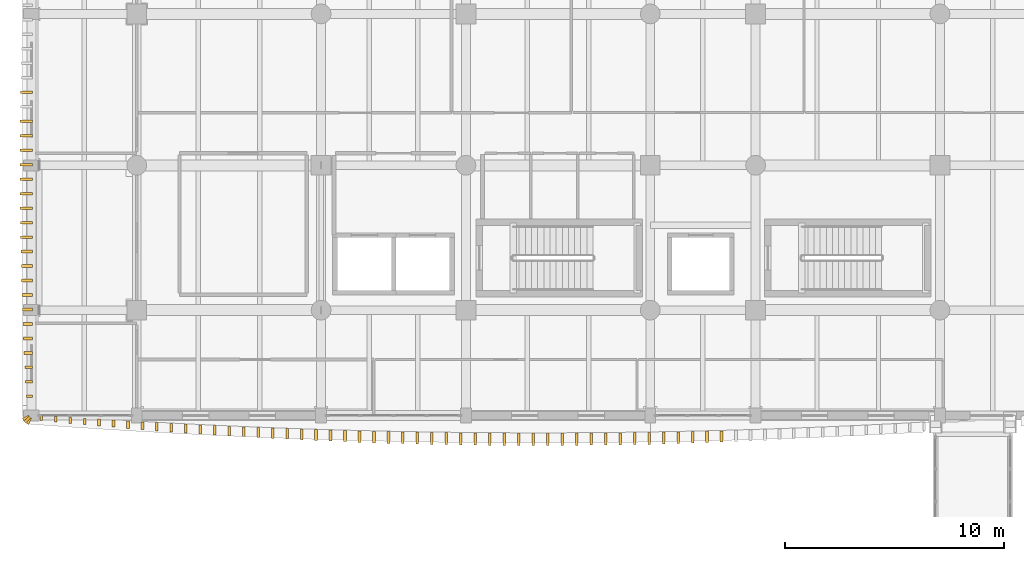
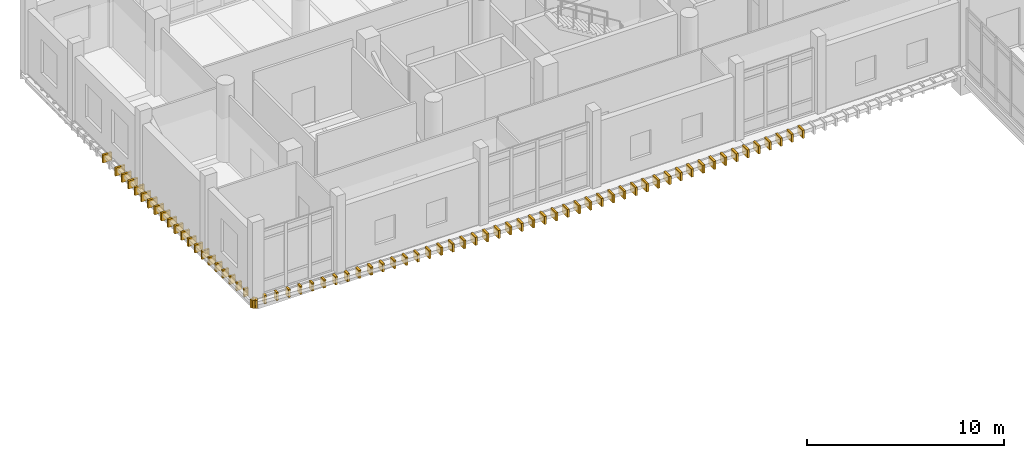
# One storey, part 95 of 101: 72 coverings.
"""IFC4 building model written with IfcOpenShell, lengths in metres."""

from ifc_helpers import new_model, si_unit, direction, frame, origin, origin_2d, place, context, subcontext, project, spatial, rectangle, extrude, material, layer, layer_set, type_object, element, save


model = new_model("IFC4")

# Units and contexts
model_context = context("Model", 3, precision=1e-05, world=origin(), true_north=direction((0.0, 1.0)))
body_context = subcontext(model_context, "Body", "Model", "MODEL_VIEW")
ifc_project = project(units=[si_unit("LENGTHUNIT", "METRE"), si_unit("AREAUNIT", "SQUARE_METRE"), si_unit("VOLUMEUNIT", "CUBIC_METRE"), si_unit("PLANEANGLEUNIT", "RADIAN"), si_unit("MASSUNIT", "GRAM", prefix="KILO")], contexts=[model_context])

# Site, building, storey
site_placement = place(None, origin())
site = spatial("IfcSite", under=ifc_project, at=site_placement, CompositionType="ELEMENT")
building_placement = place(site_placement, origin())
building = spatial("IfcBuilding", under=site, at=building_placement, Name="Dornvale Research Institute", CompositionType="ELEMENT")
storey_placement = place(building_placement, frame((0.0, 0.0, 10.199951171875)))
storey = spatial("IfcBuildingStorey", under=building, at=storey_placement, Name="L02", CompositionType="ELEMENT", Elevation=10.199951171875)

# Coverings
ifc_material = material(Name="Polychrome Glazed Terracotta Visor Rib Ceramic", Category="masonry")
ifc_layer = layer(ifc_material, 0.1201171875)
ifc_layer_set = layer_set([ifc_layer], Name="Polychrome Glazed Terracotta Visor Rib Ceramic")
covering_type = type_object("IfcCoveringType", Name="Covering_VisorBlade_Main", PredefinedType="CLADDING", material=ifc_layer_set)
covering_1_placement = place(storey_placement, frame((0.448974609375, 98.8916015625, -0.489990234375), z_axis=(0.0, 0.0, 1.0), x_axis=(0.0, 1.0, 0.0)))
element("IfcCovering", 1, at=covering_1_placement, inside=storey, type_object=covering_type, Name="L02 V5 canted glazed terracotta visor blade #206", PredefinedType="CLADDING", context=body_context, shape_type="SweptSolid", body=[
    extrude(rectangle(XDim=0.23291015625, YDim=0.1201171875, at=origin_2d()), origin(), (0.0, 0.0, 1.0), 0.5),
])
covering_2_placement = place(storey_placement, frame((1.107177734375, 98.83544921875, -0.489990234375), z_axis=(0.0, 0.0, 1.0), x_axis=(0.0, 1.0, 0.0)))
element("IfcCovering", 2, at=covering_2_placement, inside=storey, type_object=covering_type, Name="L02 V5 canted glazed terracotta visor blade #207", PredefinedType="CLADDING", context=body_context, shape_type="SweptSolid", body=[
    extrude(rectangle(XDim=0.251953125, YDim=0.1201171875, at=origin_2d()), origin(), (0.0, 0.0, 1.0), 0.5),
])
covering_3_placement = place(storey_placement, frame((1.765625, 98.7802734375, -0.489990234375), z_axis=(0.0, 0.0, 1.0), x_axis=(0.0, 1.0, 0.0)))
element("IfcCovering", 3, at=covering_3_placement, inside=storey, type_object=covering_type, Name="L02 V5 canted glazed terracotta visor blade #208", PredefinedType="CLADDING", context=body_context, shape_type="SweptSolid", body=[
    extrude(rectangle(XDim=0.27001953125, YDim=0.1201171875, at=origin_2d()), origin(), (0.0, 0.0, 1.0), 0.5),
])
covering_4_placement = place(storey_placement, frame((2.42431640625, 98.72802734375, -0.489990234375), z_axis=(0.0, 0.0, 1.0), x_axis=(0.0, 1.0, 0.0)))
element("IfcCovering", 4, at=covering_4_placement, inside=storey, type_object=covering_type, Name="L02 V5 canted glazed terracotta visor blade #209", PredefinedType="CLADDING", context=body_context, shape_type="SweptSolid", body=[
    extrude(rectangle(XDim=0.2880859375, YDim=0.1201171875, at=origin_2d()), origin(), (0.0, 0.0, 1.0), 0.5),
])
covering_5_placement = place(storey_placement, frame((3.082763671875, 98.67626953125, -0.489990234375), z_axis=(0.0, 0.0, 1.0), x_axis=(0.0, 1.0, 0.0)))
element("IfcCovering", 5, at=covering_5_placement, inside=storey, type_object=covering_type, Name="L02 V5 canted glazed terracotta visor blade #210", PredefinedType="CLADDING", context=body_context, shape_type="SweptSolid", body=[
    extrude(rectangle(XDim=0.304931640625, YDim=0.1201171875, at=origin_2d()), origin(), (0.0, 0.0, 1.0), 0.5),
])
covering_6_placement = place(storey_placement, frame((3.741455078125, 98.627197265625, -0.489990234375), z_axis=(0.0, 0.0, 1.0), x_axis=(0.0, 1.0, 0.0)))
element("IfcCovering", 6, at=covering_6_placement, inside=storey, type_object=covering_type, Name="L02 V5 canted glazed terracotta visor blade #211", PredefinedType="CLADDING", context=body_context, shape_type="SweptSolid", body=[
    extrude(rectangle(XDim=0.321044921875, YDim=0.1201171875, at=origin_2d()), origin(), (0.0, 0.0, 1.0), 0.5),
])
covering_7_placement = place(storey_placement, frame((4.400390625, 98.579345703125, -0.489990234375), z_axis=(0.0, 0.0, 1.0), x_axis=(0.0, 1.0, 0.0)))
element("IfcCovering", 7, at=covering_7_placement, inside=storey, type_object=covering_type, Name="L02 V5 canted glazed terracotta visor blade #212", PredefinedType="CLADDING", context=body_context, shape_type="SweptSolid", body=[
    extrude(rectangle(XDim=0.3369140625, YDim=0.1201171875, at=origin_2d()), origin(), (0.0, 0.0, 1.0), 0.5),
])
covering_8_placement = place(storey_placement, frame((5.05908203125, 98.5322265625, -0.489990234375), z_axis=(0.0, 0.0, 1.0), x_axis=(0.0, 1.0, 0.0)))
element("IfcCovering", 8, at=covering_8_placement, inside=storey, type_object=covering_type, Name="L02 V5 canted glazed terracotta visor blade #213", PredefinedType="CLADDING", context=body_context, shape_type="SweptSolid", body=[
    extrude(rectangle(XDim=0.35302734375, YDim=0.1201171875, at=origin_2d()), origin(), (0.0, 0.0, 1.0), 0.5),
])
covering_9_placement = place(storey_placement, frame((5.718017578125, 98.48828125, -0.489990234375), z_axis=(0.0, 0.0, 1.0), x_axis=(0.0, 1.0, 0.0)))
element("IfcCovering", 9, at=covering_9_placement, inside=storey, type_object=covering_type, Name="L02 V5 canted glazed terracotta visor blade #214", PredefinedType="CLADDING", context=body_context, shape_type="SweptSolid", body=[
    extrude(rectangle(XDim=0.367919921875, YDim=0.1201171875, at=origin_2d()), origin(), (0.0, 0.0, 1.0), 0.5),
])
covering_10_placement = place(storey_placement, frame((6.377197265625, 98.445068359375, -0.489990234375), z_axis=(0.0, 0.0, 1.0), x_axis=(0.0, 1.0, 0.0)))
element("IfcCovering", 10, at=covering_10_placement, inside=storey, type_object=covering_type, Name="L02 V5 canted glazed terracotta visor blade #215", PredefinedType="CLADDING", context=body_context, shape_type="SweptSolid", body=[
    extrude(rectangle(XDim=0.382080078125, YDim=0.1201171875, at=origin_2d()), origin(), (0.0, 0.0, 1.0), 0.5),
])
covering_11_placement = place(storey_placement, frame((7.0361328125, 98.40380859375, -0.489990234375), z_axis=(0.0, 0.0, 1.0), x_axis=(0.0, 1.0, 0.0)))
element("IfcCovering", 11, at=covering_11_placement, inside=storey, type_object=covering_type, Name="L02 V5 canted glazed terracotta visor blade #216", PredefinedType="CLADDING", context=body_context, shape_type="SweptSolid", body=[
    extrude(rectangle(XDim=0.39599609375, YDim=0.1201171875, at=origin_2d()), origin(), (0.0, 0.0, 1.0), 0.5),
])
covering_12_placement = place(storey_placement, frame((7.6953125, 98.364501953125, -0.489990234375), z_axis=(0.0, 0.0, 1.0), x_axis=(0.0, 1.0, 0.0)))
element("IfcCovering", 12, at=covering_12_placement, inside=storey, type_object=covering_type, Name="L02 V5 canted glazed terracotta visor blade #217", PredefinedType="CLADDING", context=body_context, shape_type="SweptSolid", body=[
    extrude(rectangle(XDim=0.408935546875, YDim=0.1201171875, at=origin_2d()), origin(), (0.0, 0.0, 1.0), 0.5),
])
covering_13_placement = place(storey_placement, frame((8.3544921875, 98.32568359375, -0.489990234375), z_axis=(0.0, 0.0, 1.0), x_axis=(0.0, 1.0, 0.0)))
element("IfcCovering", 13, at=covering_13_placement, inside=storey, type_object=covering_type, Name="L02 V5 canted glazed terracotta visor blade #218", PredefinedType="CLADDING", context=body_context, shape_type="SweptSolid", body=[
    extrude(rectangle(XDim=0.422119140625, YDim=0.1201171875, at=origin_2d()), origin(), (0.0, 0.0, 1.0), 0.5),
])
covering_14_placement = place(storey_placement, frame((9.013916015625, 98.290283203125, -0.489990234375), z_axis=(0.0, 0.0, 1.0), x_axis=(0.0, 1.0, 0.0)))
element("IfcCovering", 14, at=covering_14_placement, inside=storey, type_object=covering_type, Name="L02 V5 canted glazed terracotta visor blade #219", PredefinedType="CLADDING", context=body_context, shape_type="SweptSolid", body=[
    extrude(rectangle(XDim=0.43408203125, YDim=0.1201171875, at=origin_2d()), origin(), (0.0, 0.0, 1.0), 0.5),
])
covering_15_placement = place(storey_placement, frame((9.67333984375, 98.255126953125, -0.489990234375), z_axis=(0.0, 0.0, 1.0), x_axis=(0.0, 1.0, 0.0)))
element("IfcCovering", 15, at=covering_15_placement, inside=storey, type_object=covering_type, Name="L02 V5 canted glazed terracotta visor blade #220", PredefinedType="CLADDING", context=body_context, shape_type="SweptSolid", body=[
    extrude(rectangle(XDim=0.445068359375, YDim=0.1201171875, at=origin_2d()), origin(), (0.0, 0.0, 1.0), 0.5),
])
covering_16_placement = place(storey_placement, frame((10.332763671875, 98.222412109375, -0.489990234375), z_axis=(0.0, 0.0, 1.0), x_axis=(0.0, 1.0, 0.0)))
element("IfcCovering", 16, at=covering_16_placement, inside=storey, type_object=covering_type, Name="L02 V5 canted glazed terracotta visor blade #221", PredefinedType="CLADDING", context=body_context, shape_type="SweptSolid", body=[
    extrude(rectangle(XDim=0.4560546875, YDim=0.1201171875, at=origin_2d()), origin(), (0.0, 0.0, 1.0), 0.5),
])
covering_17_placement = place(storey_placement, frame((10.9921875, 98.19091796875, -0.489990234375), z_axis=(0.0, 0.0, 1.0), x_axis=(0.0, 1.0, 0.0)))
element("IfcCovering", 17, at=covering_17_placement, inside=storey, type_object=covering_type, Name="L02 V5 canted glazed terracotta visor blade #222", PredefinedType="CLADDING", context=body_context, shape_type="SweptSolid", body=[
    extrude(rectangle(XDim=0.467041015625, YDim=0.1201171875, at=origin_2d()), origin(), (0.0, 0.0, 1.0), 0.5),
])
covering_18_placement = place(storey_placement, frame((11.651611328125, 98.160400390625, -0.489990234375), z_axis=(0.0, 0.0, 1.0), x_axis=(0.0, 1.0, 0.0)))
element("IfcCovering", 18, at=covering_18_placement, inside=storey, type_object=covering_type, Name="L02 V5 canted glazed terracotta visor blade #223", PredefinedType="CLADDING", context=body_context, shape_type="SweptSolid", body=[
    extrude(rectangle(XDim=0.47705078125, YDim=0.1201171875, at=origin_2d()), origin(), (0.0, 0.0, 1.0), 0.5),
])
covering_19_placement = place(storey_placement, frame((12.311279296875, 98.133544921875, -0.489990234375), z_axis=(0.0, 0.0, 1.0), x_axis=(0.0, 1.0, 0.0)))
element("IfcCovering", 19, at=covering_19_placement, inside=storey, type_object=covering_type, Name="L02 V5 canted glazed terracotta visor blade #224", PredefinedType="CLADDING", context=body_context, shape_type="SweptSolid", body=[
    extrude(rectangle(XDim=0.486083984375, YDim=0.1201171875, at=origin_2d()), origin(), (0.0, 0.0, 1.0), 0.5),
])
covering_20_placement = place(storey_placement, frame((12.970947265625, 98.1064453125, -0.489990234375), z_axis=(0.0, 0.0, 1.0), x_axis=(0.0, 1.0, 0.0)))
element("IfcCovering", 20, at=covering_20_placement, inside=storey, type_object=covering_type, Name="L02 V5 canted glazed terracotta visor blade #225", PredefinedType="CLADDING", context=body_context, shape_type="SweptSolid", body=[
    extrude(rectangle(XDim=0.4951171875, YDim=0.1201171875, at=origin_2d()), origin(), (0.0, 0.0, 1.0), 0.5),
])
covering_21_placement = place(storey_placement, frame((13.630615234375, 98.082275390625, -0.489990234375), z_axis=(0.0, 0.0, 1.0), x_axis=(0.0, 1.0, 0.0)))
element("IfcCovering", 21, at=covering_21_placement, inside=storey, type_object=covering_type, Name="L02 V5 canted glazed terracotta visor blade #226", PredefinedType="CLADDING", context=body_context, shape_type="SweptSolid", body=[
    extrude(rectangle(XDim=0.5029296875, YDim=0.1201171875, at=origin_2d()), origin(), (0.0, 0.0, 1.0), 0.5),
])
covering_22_placement = place(storey_placement, frame((14.290283203125, 98.05908203125, -0.489990234375), z_axis=(0.0, 0.0, 1.0), x_axis=(0.0, 1.0, 0.0)))
element("IfcCovering", 22, at=covering_22_placement, inside=storey, type_object=covering_type, Name="L02 V5 canted glazed terracotta visor blade #227", PredefinedType="CLADDING", context=body_context, shape_type="SweptSolid", body=[
    extrude(rectangle(XDim=0.510986328125, YDim=0.1201171875, at=origin_2d()), origin(), (0.0, 0.0, 1.0), 0.5),
])
covering_23_placement = place(storey_placement, frame((14.9501953125, 98.037109375, -0.489990234375), z_axis=(0.0, 0.0, 1.0), x_axis=(0.0, 1.0, 0.0)))
element("IfcCovering", 23, at=covering_23_placement, inside=storey, type_object=covering_type, Name="L02 V5 canted glazed terracotta visor blade #228", PredefinedType="CLADDING", context=body_context, shape_type="SweptSolid", body=[
    extrude(rectangle(XDim=0.51806640625, YDim=0.1201171875, at=origin_2d()), origin(), (0.0, 0.0, 1.0), 0.5),
])
covering_24_placement = place(storey_placement, frame((15.60986328125, 98.018310546875, -0.489990234375), z_axis=(0.0, 0.0, 1.0), x_axis=(0.0, 1.0, 0.0)))
element("IfcCovering", 24, at=covering_24_placement, inside=storey, type_object=covering_type, Name="L02 V5 canted glazed terracotta visor blade #229", PredefinedType="CLADDING", context=body_context, shape_type="SweptSolid", body=[
    extrude(rectangle(XDim=0.52392578125, YDim=0.1201171875, at=origin_2d()), origin(), (0.0, 0.0, 1.0), 0.5),
])
covering_25_placement = place(storey_placement, frame((16.269775390625, 97.999755859375, -0.489990234375), z_axis=(0.0, 0.0, 1.0), x_axis=(0.0, 1.0, 0.0)))
element("IfcCovering", 25, at=covering_25_placement, inside=storey, type_object=covering_type, Name="L02 V5 canted glazed terracotta visor blade #230", PredefinedType="CLADDING", context=body_context, shape_type="SweptSolid", body=[
    extrude(rectangle(XDim=0.530029296875, YDim=0.1201171875, at=origin_2d()), origin(), (0.0, 0.0, 1.0), 0.5),
])
covering_26_placement = place(storey_placement, frame((16.9296875, 97.9833984375, -0.489990234375), z_axis=(0.0, 0.0, 1.0), x_axis=(0.0, 1.0, 0.0)))
element("IfcCovering", 26, at=covering_26_placement, inside=storey, type_object=covering_type, Name="L02 V5 canted glazed terracotta visor blade #231", PredefinedType="CLADDING", context=body_context, shape_type="SweptSolid", body=[
    extrude(rectangle(XDim=0.535888671875, YDim=0.1201171875, at=origin_2d()), origin(), (0.0, 0.0, 1.0), 0.5),
])
covering_27_placement = place(storey_placement, frame((17.589599609375, 97.96875, -0.489990234375), z_axis=(0.0, 0.0, 1.0), x_axis=(0.0, 1.0, 0.0)))
element("IfcCovering", 27, at=covering_27_placement, inside=storey, type_object=covering_type, Name="L02 V5 canted glazed terracotta visor blade #232", PredefinedType="CLADDING", context=body_context, shape_type="SweptSolid", body=[
    extrude(rectangle(XDim=0.541015625, YDim=0.1201171875, at=origin_2d()), origin(), (0.0, 0.0, 1.0), 0.5),
])
covering_28_placement = place(storey_placement, frame((18.24951171875, 97.955078125, -0.489990234375), z_axis=(0.0, 0.0, 1.0), x_axis=(0.0, 1.0, 0.0)))
element("IfcCovering", 28, at=covering_28_placement, inside=storey, type_object=covering_type, Name="L02 V5 canted glazed terracotta visor blade #233", PredefinedType="CLADDING", context=body_context, shape_type="SweptSolid", body=[
    extrude(rectangle(XDim=0.544921875, YDim=0.1201171875, at=origin_2d()), origin(), (0.0, 0.0, 1.0), 0.5),
])
covering_29_placement = place(storey_placement, frame((18.9091796875, 97.944580078125, -0.489990234375), z_axis=(0.0, 0.0, 1.0), x_axis=(0.0, 1.0, 0.0)))
element("IfcCovering", 29, at=covering_29_placement, inside=storey, type_object=covering_type, Name="L02 V5 canted glazed terracotta visor blade #234", PredefinedType="CLADDING", context=body_context, shape_type="SweptSolid", body=[
    extrude(rectangle(XDim=0.549072265625, YDim=0.1201171875, at=origin_2d()), origin(), (0.0, 0.0, 1.0), 0.5),
])
covering_30_placement = place(storey_placement, frame((19.5693359375, 97.934326171875, -0.489990234375), z_axis=(0.0, 0.0, 1.0), x_axis=(0.0, 1.0, 0.0)))
element("IfcCovering", 30, at=covering_30_placement, inside=storey, type_object=covering_type, Name="L02 V5 canted glazed terracotta visor blade #235", PredefinedType="CLADDING", context=body_context, shape_type="SweptSolid", body=[
    extrude(rectangle(XDim=0.552001953125, YDim=0.1201171875, at=origin_2d()), origin(), (0.0, 0.0, 1.0), 0.5),
])
covering_31_placement = place(storey_placement, frame((20.229248046875, 97.926513671875, -0.489990234375), z_axis=(0.0, 0.0, 1.0), x_axis=(0.0, 1.0, 0.0)))
element("IfcCovering", 31, at=covering_31_placement, inside=storey, type_object=covering_type, Name="L02 V5 canted glazed terracotta visor blade #236", PredefinedType="CLADDING", context=body_context, shape_type="SweptSolid", body=[
    extrude(rectangle(XDim=0.554931640625, YDim=0.1201171875, at=origin_2d()), origin(), (0.0, 0.0, 1.0), 0.5),
])
covering_32_placement = place(storey_placement, frame((20.88916015625, 97.920166015625, -0.489990234375), z_axis=(0.0, 0.0, 1.0), x_axis=(0.0, 1.0, 0.0)))
element("IfcCovering", 32, at=covering_32_placement, inside=storey, type_object=covering_type, Name="L02 V5 canted glazed terracotta visor blade #237", PredefinedType="CLADDING", context=body_context, shape_type="SweptSolid", body=[
    extrude(rectangle(XDim=0.556884765625, YDim=0.1201171875, at=origin_2d()), origin(), (0.0, 0.0, 1.0), 0.5),
])
covering_33_placement = place(storey_placement, frame((21.54931640625, 97.9150390625, -0.489990234375), z_axis=(0.0, 0.0, 1.0), x_axis=(0.0, 1.0, 0.0)))
element("IfcCovering", 33, at=covering_33_placement, inside=storey, type_object=covering_type, Name="L02 V5 canted glazed terracotta visor blade #238", PredefinedType="CLADDING", context=body_context, shape_type="SweptSolid", body=[
    extrude(rectangle(XDim=0.55810546875, YDim=0.1201171875, at=origin_2d()), origin(), (0.0, 0.0, 1.0), 0.5),
])
covering_34_placement = place(storey_placement, frame((22.209228515625, 97.912841796875, -0.489990234375), z_axis=(0.0, 0.0, 1.0), x_axis=(0.0, 1.0, 0.0)))
element("IfcCovering", 34, at=covering_34_placement, inside=storey, type_object=covering_type, Name="L02 V5 canted glazed terracotta visor blade #239", PredefinedType="CLADDING", context=body_context, shape_type="SweptSolid", body=[
    extrude(rectangle(XDim=0.55908203125, YDim=0.1201171875, at=origin_2d()), origin(), (0.0, 0.0, 1.0), 0.5),
])
for number, where, z_axis, x_axis, name in (
    (35, (22.869140625, 97.91064453125, -0.489990234375), (0.0, 0.0, 1.0), (0.0, 1.0, 0.0), "L02 V5 canted glazed terracotta visor blade #240"),
    (36, (23.529296875, 97.9111328125, -0.489990234375), (0.0, 0.0, 1.0), (0.0, 1.0, 0.0), "L02 V5 canted glazed terracotta visor blade #241"),
):
    element("IfcCovering", number, at=place(storey_placement, frame(where, z_axis=z_axis, x_axis=x_axis)), inside=storey, type_object=covering_type, Name=name, PredefinedType="CLADDING", context=body_context, shape_type="SweptSolid", body=[
        extrude(rectangle(XDim=0.56005859375, YDim=0.1201171875, at=origin_2d()), origin(), (0.0, 0.0, 1.0), 0.5),
    ])
covering_35_placement = place(storey_placement, frame((24.189208984375, 97.913330078125, -0.489990234375), z_axis=(0.0, 0.0, 1.0), x_axis=(0.0, 1.0, 0.0)))
element("IfcCovering", 37, at=covering_35_placement, inside=storey, type_object=covering_type, Name="L02 V5 canted glazed terracotta visor blade #242", PredefinedType="CLADDING", context=body_context, shape_type="SweptSolid", body=[
    extrude(rectangle(XDim=0.55908203125, YDim=0.1201171875, at=origin_2d()), origin(), (0.0, 0.0, 1.0), 0.5),
])
covering_36_placement = place(storey_placement, frame((24.84912109375, 97.916015625, -0.489990234375), z_axis=(0.0, 0.0, 1.0), x_axis=(0.0, 1.0, 0.0)))
element("IfcCovering", 38, at=covering_36_placement, inside=storey, type_object=covering_type, Name="L02 V5 canted glazed terracotta visor blade #243", PredefinedType="CLADDING", context=body_context, shape_type="SweptSolid", body=[
    extrude(rectangle(XDim=0.55810546875, YDim=0.1201171875, at=origin_2d()), origin(), (0.0, 0.0, 1.0), 0.5),
])
covering_37_placement = place(storey_placement, frame((25.50927734375, 97.92236328125, -0.489990234375), z_axis=(0.0, 0.0, 1.0), x_axis=(0.0, 1.0, 0.0)))
element("IfcCovering", 39, at=covering_37_placement, inside=storey, type_object=covering_type, Name="L02 V5 canted glazed terracotta visor blade #244", PredefinedType="CLADDING", context=body_context, shape_type="SweptSolid", body=[
    extrude(rectangle(XDim=0.555908203125, YDim=0.1201171875, at=origin_2d()), origin(), (0.0, 0.0, 1.0), 0.5),
])
covering_38_placement = place(storey_placement, frame((26.169189453125, 97.928466796875, -0.489990234375), z_axis=(0.0, 0.0, 1.0), x_axis=(0.0, 1.0, 0.0)))
element("IfcCovering", 40, at=covering_38_placement, inside=storey, type_object=covering_type, Name="L02 V5 canted glazed terracotta visor blade #245", PredefinedType="CLADDING", context=body_context, shape_type="SweptSolid", body=[
    extrude(rectangle(XDim=0.553955078125, YDim=0.1201171875, at=origin_2d()), origin(), (0.0, 0.0, 1.0), 0.5),
])
covering_39_placement = place(storey_placement, frame((26.8291015625, 97.9375, -0.489990234375), z_axis=(0.0, 0.0, 1.0), x_axis=(0.0, 1.0, 0.0)))
element("IfcCovering", 41, at=covering_39_placement, inside=storey, type_object=covering_type, Name="L02 V5 canted glazed terracotta visor blade #246", PredefinedType="CLADDING", context=body_context, shape_type="SweptSolid", body=[
    extrude(rectangle(XDim=0.551025390625, YDim=0.1201171875, at=origin_2d()), origin(), (0.0, 0.0, 1.0), 0.5),
])
covering_40_placement = place(storey_placement, frame((27.489013671875, 97.947509765625, -0.489990234375), z_axis=(0.0, 0.0, 1.0), x_axis=(0.0, 1.0, 0.0)))
element("IfcCovering", 42, at=covering_40_placement, inside=storey, type_object=covering_type, Name="L02 V5 canted glazed terracotta visor blade #247", PredefinedType="CLADDING", context=body_context, shape_type="SweptSolid", body=[
    extrude(rectangle(XDim=0.548095703125, YDim=0.1201171875, at=origin_2d()), origin(), (0.0, 0.0, 1.0), 0.5),
])
covering_41_placement = place(storey_placement, frame((28.14892578125, 97.958740234375, -0.489990234375), z_axis=(0.0, 0.0, 1.0), x_axis=(0.0, 1.0, 0.0)))
element("IfcCovering", 43, at=covering_41_placement, inside=storey, type_object=covering_type, Name="L02 V5 canted glazed terracotta visor blade #248", PredefinedType="CLADDING", context=body_context, shape_type="SweptSolid", body=[
    extrude(rectangle(XDim=0.5439453125, YDim=0.1201171875, at=origin_2d()), origin(), (0.0, 0.0, 1.0), 0.5),
])
covering_42_placement = place(storey_placement, frame((28.808837890625, 97.973388671875, -0.489990234375), z_axis=(0.0, 0.0, 1.0), x_axis=(0.0, 1.0, 0.0)))
element("IfcCovering", 44, at=covering_42_placement, inside=storey, type_object=covering_type, Name="L02 V5 canted glazed terracotta visor blade #249", PredefinedType="CLADDING", context=body_context, shape_type="SweptSolid", body=[
    extrude(rectangle(XDim=0.5390625, YDim=0.1201171875, at=origin_2d()), origin(), (0.0, 0.0, 1.0), 0.5),
])
covering_43_placement = place(storey_placement, frame((29.46875, 97.988037109375, -0.489990234375), z_axis=(0.0, 0.0, 1.0), x_axis=(0.0, 1.0, 0.0)))
element("IfcCovering", 45, at=covering_43_placement, inside=storey, type_object=covering_type, Name="L02 V5 canted glazed terracotta visor blade #250", PredefinedType="CLADDING", context=body_context, shape_type="SweptSolid", body=[
    extrude(rectangle(XDim=0.533935546875, YDim=0.1201171875, at=origin_2d()), origin(), (0.0, 0.0, 1.0), 0.5),
])
covering_44_placement = place(storey_placement, frame((30.128662109375, 98.0048828125, -0.489990234375), z_axis=(0.0, 0.0, 1.0), x_axis=(0.0, 1.0, 0.0)))
element("IfcCovering", 46, at=covering_44_placement, inside=storey, type_object=covering_type, Name="L02 V5 canted glazed terracotta visor blade #251", PredefinedType="CLADDING", context=body_context, shape_type="SweptSolid", body=[
    extrude(rectangle(XDim=0.529052734375, YDim=0.1201171875, at=origin_2d()), origin(), (0.0, 0.0, 1.0), 0.5),
])
covering_45_placement = place(storey_placement, frame((30.788330078125, 98.024169921875, -0.489990234375), z_axis=(0.0, 0.0, 1.0), x_axis=(0.0, 1.0, 0.0)))
element("IfcCovering", 47, at=covering_45_placement, inside=storey, type_object=covering_type, Name="L02 V5 canted glazed terracotta visor blade #252", PredefinedType="CLADDING", context=body_context, shape_type="SweptSolid", body=[
    extrude(rectangle(XDim=0.52197265625, YDim=0.1201171875, at=origin_2d()), origin(), (0.0, 0.0, 1.0), 0.5),
])
covering_46_placement = place(storey_placement, frame((31.4482421875, 98.043212890625, -0.489990234375), z_axis=(0.0, 0.0, 1.0), x_axis=(0.0, 1.0, 0.0)))
element("IfcCovering", 48, at=covering_46_placement, inside=storey, type_object=covering_type, Name="L02 V5 canted glazed terracotta visor blade #253", PredefinedType="CLADDING", context=body_context, shape_type="SweptSolid", body=[
    extrude(rectangle(XDim=0.51611328125, YDim=0.1201171875, at=origin_2d()), origin(), (0.0, 0.0, 1.0), 0.5),
])
covering_47_placement = place(storey_placement, frame((-0.22705078125, 113.72998046875, -0.489990234375), z_axis=(0.0, 0.0, 1.0), x_axis=(1.0, 0.0, 0.0)))
element("IfcCovering", 49, at=covering_47_placement, inside=storey, type_object=covering_type, Name="L02 V5 canted glazed terracotta visor blade #377", PredefinedType="CLADDING", context=body_context, shape_type="SweptSolid", body=[
    extrude(rectangle(XDim=0.533935546875, YDim=0.1201171875, at=origin_2d()), origin(), (0.0, 0.0, 1.0), 0.5),
])
covering_48_placement = place(storey_placement, frame((-0.235595703125, 112.409912109375, -0.489990234375), z_axis=(0.0, 0.0, 1.0), x_axis=(1.0, 0.0, 0.0)))
element("IfcCovering", 50, at=covering_48_placement, inside=storey, type_object=covering_type, Name="L02 V5 canted glazed terracotta visor blade #379", PredefinedType="CLADDING", context=body_context, shape_type="SweptSolid", body=[
    extrude(rectangle(XDim=0.551025390625, YDim=0.1201171875, at=origin_2d()), origin(), (0.0, 0.0, 1.0), 0.5),
])
covering_49_placement = place(storey_placement, frame((-0.238037109375, 111.75, -0.489990234375), z_axis=(0.0, 0.0, 1.0), x_axis=(1.0, 0.0, 0.0)))
element("IfcCovering", 51, at=covering_49_placement, inside=storey, type_object=covering_type, Name="L02 V5 canted glazed terracotta visor blade #380", PredefinedType="CLADDING", context=body_context, shape_type="SweptSolid", body=[
    extrude(rectangle(XDim=0.555908203125, YDim=0.1201171875, at=origin_2d()), origin(), (0.0, 0.0, 1.0), 0.5),
])
covering_50_placement = place(storey_placement, frame((-0.239501953125, 111.090087890625, -0.489990234375), z_axis=(0.0, 0.0, 1.0), x_axis=(1.0, 0.0, 0.0)))
element("IfcCovering", 52, at=covering_50_placement, inside=storey, type_object=covering_type, Name="L02 V5 canted glazed terracotta visor blade #381", PredefinedType="CLADDING", context=body_context, shape_type="SweptSolid", body=[
    extrude(rectangle(XDim=0.55908203125, YDim=0.1201171875, at=origin_2d()), origin(), (0.0, 0.0, 1.0), 0.5),
])
covering_51_placement = place(storey_placement, frame((-0.239990234375, 110.429931640625, -0.489990234375), z_axis=(0.0, 0.0, 1.0), x_axis=(1.0, 0.0, 0.0)))
element("IfcCovering", 53, at=covering_51_placement, inside=storey, type_object=covering_type, Name="L02 V5 canted glazed terracotta visor blade #382", PredefinedType="CLADDING", context=body_context, shape_type="SweptSolid", body=[
    extrude(rectangle(XDim=0.56005859375, YDim=0.1201171875, at=origin_2d()), origin(), (0.0, 0.0, 1.0), 0.5),
])
covering_52_placement = place(storey_placement, frame((-0.239013671875, 109.77001953125, -0.489990234375), z_axis=(0.0, 0.0, 1.0), x_axis=(1.0, 0.0, 0.0)))
element("IfcCovering", 54, at=covering_52_placement, inside=storey, type_object=covering_type, Name="L02 V5 canted glazed terracotta visor blade #383", PredefinedType="CLADDING", context=body_context, shape_type="SweptSolid", body=[
    extrude(rectangle(XDim=0.55810546875, YDim=0.1201171875, at=origin_2d()), origin(), (0.0, 0.0, 1.0), 0.5),
])
covering_53_placement = place(storey_placement, frame((-0.237548828125, 109.110107421875, -0.489990234375), z_axis=(0.0, 0.0, 1.0), x_axis=(1.0, 0.0, 0.0)))
element("IfcCovering", 55, at=covering_53_placement, inside=storey, type_object=covering_type, Name="L02 V5 canted glazed terracotta visor blade #384", PredefinedType="CLADDING", context=body_context, shape_type="SweptSolid", body=[
    extrude(rectangle(XDim=0.554931640625, YDim=0.1201171875, at=origin_2d()), origin(), (0.0, 0.0, 1.0), 0.5),
])
covering_54_placement = place(storey_placement, frame((-0.234619140625, 108.449951171875, -0.489990234375), z_axis=(0.0, 0.0, 1.0), x_axis=(1.0, 0.0, 0.0)))
element("IfcCovering", 56, at=covering_54_placement, inside=storey, type_object=covering_type, Name="L02 V5 canted glazed terracotta visor blade #385", PredefinedType="CLADDING", context=body_context, shape_type="SweptSolid", body=[
    extrude(rectangle(XDim=0.549072265625, YDim=0.1201171875, at=origin_2d()), origin(), (0.0, 0.0, 1.0), 0.5),
])
covering_55_placement = place(storey_placement, frame((-0.23046875, 107.7900390625, -0.489990234375), z_axis=(0.0, 0.0, 1.0), x_axis=(1.0, 0.0, 0.0)))
element("IfcCovering", 57, at=covering_55_placement, inside=storey, type_object=covering_type, Name="L02 V5 canted glazed terracotta visor blade #386", PredefinedType="CLADDING", context=body_context, shape_type="SweptSolid", body=[
    extrude(rectangle(XDim=0.541015625, YDim=0.1201171875, at=origin_2d()), origin(), (0.0, 0.0, 1.0), 0.5),
])
covering_56_placement = place(storey_placement, frame((-0.22509765625, 107.1298828125, -0.489990234375), z_axis=(0.0, 0.0, 1.0), x_axis=(1.0, 0.0, 0.0)))
element("IfcCovering", 58, at=covering_56_placement, inside=storey, type_object=covering_type, Name="L02 V5 canted glazed terracotta visor blade #387", PredefinedType="CLADDING", context=body_context, shape_type="SweptSolid", body=[
    extrude(rectangle(XDim=0.530029296875, YDim=0.1201171875, at=origin_2d()), origin(), (0.0, 0.0, 1.0), 0.5),
])
covering_57_placement = place(storey_placement, frame((-0.218994140625, 106.469970703125, -0.489990234375), z_axis=(0.0, 0.0, 1.0), x_axis=(1.0, 0.0, 0.0)))
element("IfcCovering", 59, at=covering_57_placement, inside=storey, type_object=covering_type, Name="L02 V5 canted glazed terracotta visor blade #388", PredefinedType="CLADDING", context=body_context, shape_type="SweptSolid", body=[
    extrude(rectangle(XDim=0.51806640625, YDim=0.1201171875, at=origin_2d()), origin(), (0.0, 0.0, 1.0), 0.5),
])
covering_58_placement = place(storey_placement, frame((-0.21142578125, 105.81005859375, -0.489990234375), z_axis=(0.0, 0.0, 1.0), x_axis=(1.0, 0.0, 0.0)))
element("IfcCovering", 60, at=covering_58_placement, inside=storey, type_object=covering_type, Name="L02 V5 canted glazed terracotta visor blade #389", PredefinedType="CLADDING", context=body_context, shape_type="SweptSolid", body=[
    extrude(rectangle(XDim=0.5029296875, YDim=0.1201171875, at=origin_2d()), origin(), (0.0, 0.0, 1.0), 0.5),
])
covering_59_placement = place(storey_placement, frame((-0.202880859375, 105.14990234375, -0.489990234375), z_axis=(0.0, 0.0, 1.0), x_axis=(1.0, 0.0, 0.0)))
element("IfcCovering", 61, at=covering_59_placement, inside=storey, type_object=covering_type, Name="L02 V5 canted glazed terracotta visor blade #390", PredefinedType="CLADDING", context=body_context, shape_type="SweptSolid", body=[
    extrude(rectangle(XDim=0.486083984375, YDim=0.1201171875, at=origin_2d()), origin(), (0.0, 0.0, 1.0), 0.5),
])
covering_60_placement = place(storey_placement, frame((-0.193115234375, 104.489990234375, -0.489990234375), z_axis=(0.0, 0.0, 1.0), x_axis=(1.0, 0.0, 0.0)))
element("IfcCovering", 62, at=covering_60_placement, inside=storey, type_object=covering_type, Name="L02 V5 canted glazed terracotta visor blade #391", PredefinedType="CLADDING", context=body_context, shape_type="SweptSolid", body=[
    extrude(rectangle(XDim=0.466064453125, YDim=0.1201171875, at=origin_2d()), origin(), (0.0, 0.0, 1.0), 0.5),
])
covering_61_placement = place(storey_placement, frame((-0.1826171875, 103.830078125, -0.489990234375), z_axis=(0.0, 0.0, 1.0), x_axis=(1.0, 0.0, 0.0)))
element("IfcCovering", 63, at=covering_61_placement, inside=storey, type_object=covering_type, Name="L02 V5 canted glazed terracotta visor blade #392", PredefinedType="CLADDING", context=body_context, shape_type="SweptSolid", body=[
    extrude(rectangle(XDim=0.445068359375, YDim=0.1201171875, at=origin_2d()), origin(), (0.0, 0.0, 1.0), 0.5),
])
covering_62_placement = place(storey_placement, frame((-0.17041015625, 103.169921875, -0.489990234375), z_axis=(0.0, 0.0, 1.0), x_axis=(1.0, 0.0, 0.0)))
element("IfcCovering", 64, at=covering_62_placement, inside=storey, type_object=covering_type, Name="L02 V5 canted glazed terracotta visor blade #393", PredefinedType="CLADDING", context=body_context, shape_type="SweptSolid", body=[
    extrude(rectangle(XDim=0.4208984375, YDim=0.1201171875, at=origin_2d()), origin(), (0.0, 0.0, 1.0), 0.5),
])
covering_63_placement = place(storey_placement, frame((-0.157470703125, 102.510009765625, -0.489990234375), z_axis=(0.0, 0.0, 1.0), x_axis=(1.0, 0.0, 0.0)))
element("IfcCovering", 65, at=covering_63_placement, inside=storey, type_object=covering_type, Name="L02 V5 canted glazed terracotta visor blade #394", PredefinedType="CLADDING", context=body_context, shape_type="SweptSolid", body=[
    extrude(rectangle(XDim=0.39501953125, YDim=0.1201171875, at=origin_2d()), origin(), (0.0, 0.0, 1.0), 0.5),
])
covering_64_placement = place(storey_placement, frame((-0.1435546875, 101.85009765625, -0.489990234375), z_axis=(0.0, 0.0, 1.0), x_axis=(1.0, 0.0, 0.0)))
element("IfcCovering", 66, at=covering_64_placement, inside=storey, type_object=covering_type, Name="L02 V5 canted glazed terracotta visor blade #395", PredefinedType="CLADDING", context=body_context, shape_type="SweptSolid", body=[
    extrude(rectangle(XDim=0.366943359375, YDim=0.1201171875, at=origin_2d()), origin(), (0.0, 0.0, 1.0), 0.5),
])
covering_65_placement = place(storey_placement, frame((-0.12841796875, 101.18994140625, -0.489990234375), z_axis=(0.0, 0.0, 1.0), x_axis=(1.0, 0.0, 0.0)))
element("IfcCovering", 67, at=covering_65_placement, inside=storey, type_object=covering_type, Name="L02 V5 canted glazed terracotta visor blade #396", PredefinedType="CLADDING", context=body_context, shape_type="SweptSolid", body=[
    extrude(rectangle(XDim=0.3369140625, YDim=0.1201171875, at=origin_2d()), origin(), (0.0, 0.0, 1.0), 0.5),
])
covering_66_placement = place(storey_placement, frame((-0.112060546875, 100.530029296875, -0.489990234375), z_axis=(0.0, 0.0, 1.0), x_axis=(1.0, 0.0, 0.0)))
element("IfcCovering", 68, at=covering_66_placement, inside=storey, type_object=covering_type, Name="L02 V5 canted glazed terracotta visor blade #397", PredefinedType="CLADDING", context=body_context, shape_type="SweptSolid", body=[
    extrude(rectangle(XDim=0.303955078125, YDim=0.1201171875, at=origin_2d()), origin(), (0.0, 0.0, 1.0), 0.5),
])
covering_67_placement = place(storey_placement, frame((-0.094482421875, 99.8701171875, -0.489990234375), z_axis=(0.0, 0.0, 1.0), x_axis=(1.0, 0.0, 0.0)))
element("IfcCovering", 69, at=covering_67_placement, inside=storey, type_object=covering_type, Name="L02 V5 canted glazed terracotta visor blade #398", PredefinedType="CLADDING", context=body_context, shape_type="SweptSolid", body=[
    extrude(rectangle(XDim=0.26904296875, YDim=0.1201171875, at=origin_2d()), origin(), (0.0, 0.0, 1.0), 0.5),
])
for number, where, z_axis, x_axis, name in (
    (70, (-0.24462890625, 98.885986328125, -0.489990234375), (0.0, 0.0, 1.0), (-0.906307787037, -0.422618261741, 0.0), "L02 V5 corner-wrapping visor blade #399"),
    (71, (-0.19091796875, 98.80908203125, -0.489990234375), (0.0, 0.0, 1.0), (-0.707106781187, -0.707106781187, 0.0), "L02 V5 corner-wrapping visor blade #400"),
    (72, (-0.114013671875, 98.75537109375, -0.489990234375), (0.0, 0.0, 1.0), (-0.422618261741, -0.906307787037, 0.0), "L02 V5 corner-wrapping visor blade #401"),
):
    element("IfcCovering", number, at=place(storey_placement, frame(where, z_axis=z_axis, x_axis=x_axis)), inside=storey, type_object=covering_type, Name=name, PredefinedType="CLADDING", context=body_context, shape_type="SweptSolid", body=[
        extrude(rectangle(XDim=0.320068359375, YDim=0.1201171875, at=origin_2d()), origin(), (0.0, 0.0, 1.0), 0.5),
    ])

save(model, "model.ifc")
